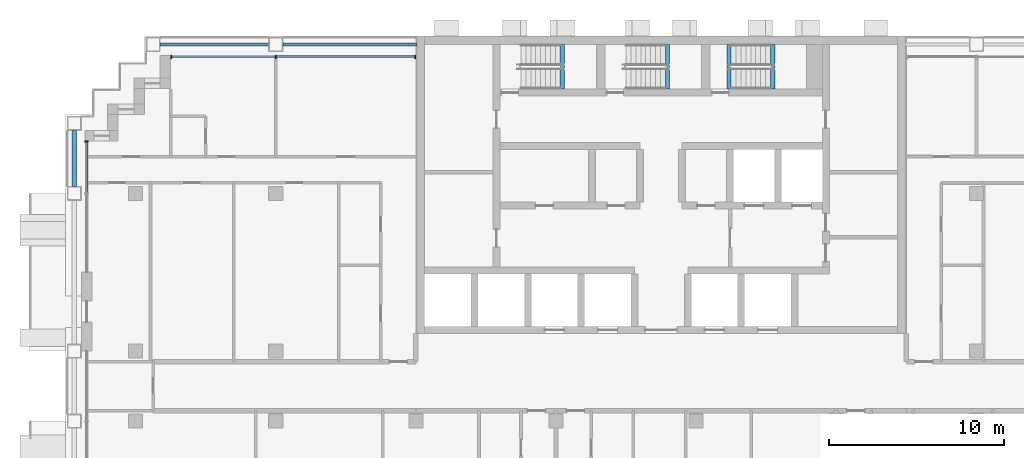
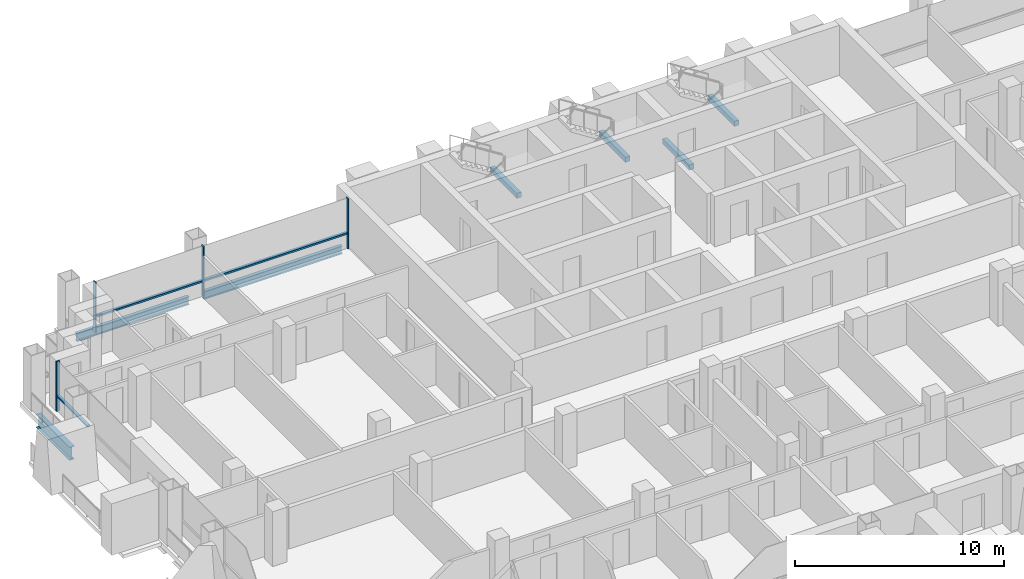
# One storey, part 4 of 16: 7 beams, 7 members, 2 elements without a shape of their own.
"""IFC4 building model written with IfcOpenShell, lengths in metres."""

from ifc_helpers import new_model, si_unit, direction, frame, origin, origin_2d, place, context, subcontext, project, spatial, rectangle, i_section, extrude, material, material_profile, profile_set, type_object, element, aggregate, save


model = new_model("IFC4")

# Units and contexts
model_context = context("Model", 3, precision=1e-05, world=origin(), true_north=direction((0.0, 1.0)))
body_context = subcontext(model_context, "Body", "Model", "MODEL_VIEW")
ifc_project = project(units=[si_unit("LENGTHUNIT", "METRE"), si_unit("AREAUNIT", "SQUARE_METRE"), si_unit("VOLUMEUNIT", "CUBIC_METRE"), si_unit("PLANEANGLEUNIT", "RADIAN"), si_unit("MASSUNIT", "GRAM", prefix="KILO")], contexts=[model_context])

# Site, building, storey
site_placement = place(None, origin())
site = spatial("IfcSite", under=ifc_project, at=site_placement, CompositionType="ELEMENT")
building_placement = place(site_placement, origin())
building = spatial("IfcBuilding", under=site, at=building_placement, Name="Vidyagriha Tower", CompositionType="ELEMENT")
storey_placement = place(building_placement, frame((0.0, 0.0, 129.39990234375)))
storey = spatial("IfcBuildingStorey", under=building, at=storey_placement, Name="L33", CompositionType="ELEMENT", Elevation=129.39990234375)

# Beams
ifc_material_1 = material(Name="Steel ASTM A992 Grade 50", Category="steel")
ifc_material_profile_1 = material_profile(ifc_material_1, i_section(OverallWidth=0.2666015625, OverallDepth=0.76953125, WebThickness=0.015625, FlangeThickness=0.025390625, at=origin_2d()), Name="W30X132")
ifc_profile_set_1 = profile_set([ifc_material_profile_1], Name="Steel ASTM A992 Grade 50")
beam_type_1 = type_object("IfcBeamType", Name="Cantilever edge beam W30X132", PredefinedType="SPANDREL", material=ifc_profile_set_1)
beam_1_placement = place(storey_placement, frame((-33.5, 11.39990234375, -0.664794921875), z_axis=(0.0, 1.0, 0.0), x_axis=(-1.0, 0.0, 0.0)))
element("IfcBeam", 1, at=beam_1_placement, inside=storey, type_object=beam_type_1, Name="st-beam-L33-W13", PredefinedType="SPANDREL", context=body_context, shape_type="SweptSolid", body=[
    extrude(i_section(OverallWidth=0.2666015625, OverallDepth=0.76953125, WebThickness=0.015625, FlangeThickness=0.025390625, at=origin_2d()), origin(), (0.0, 0.0, 1.0), 3.2001953125),
])
ifc_material_2 = material(Name="Steel ASTM A992 Grade 50", Category="steel")
ifc_material_profile_2 = material_profile(ifc_material_2, i_section(OverallWidth=0.19189453125, OverallDepth=0.46240234375, WebThickness=0.010498046875, FlangeThickness=0.017578125, at=origin_2d()), Name="W18X60")
ifc_profile_set_2 = profile_set([ifc_material_profile_2], Name="Steel ASTM A992 Grade 50")
beam_type_2 = type_object("IfcBeamType", Name="Edge beam W18X60", PredefinedType="SPANDREL", material=ifc_profile_set_2)
beam_2_placement = place(storey_placement, frame((-28.60009765625, 19.5, -0.510986328125), z_axis=(1.0, 0.0, 0.0), x_axis=(0.0, 1.0, 0.0)))
element("IfcBeam", 2, at=beam_2_placement, inside=storey, type_object=beam_type_2, Name="st-beam-L33-NW19", PredefinedType="SPANDREL", context=body_context, shape_type="SweptSolid", body=[
    extrude(i_section(OverallWidth=0.19189453125, OverallDepth=0.46240234375, WebThickness=0.010498046875, FlangeThickness=0.017578125, at=origin_2d()), origin(), (0.0, 0.0, 1.0), 6.2001953125),
])
beam_3_placement = place(storey_placement, frame((-21.60009765625, 19.5, -0.510986328125), z_axis=(1.0, 0.0, 0.0), x_axis=(0.0, 1.0, 0.0)))
element("IfcBeam", 3, at=beam_3_placement, inside=storey, type_object=beam_type_2, Name="st-beam-L33-NC22", PredefinedType="SPANDREL", context=body_context, shape_type="SweptSolid", body=[
    extrude(i_section(OverallWidth=0.19189453125, OverallDepth=0.46240234375, WebThickness=0.010498046875, FlangeThickness=0.017578125, at=origin_2d()), origin(), (0.0, 0.0, 1.0), 7.650146484375),
])

# Curtain wall, members
ifc_material_3 = material(Name="Aluminium and glass curtain wall", Category="aluminium")
curtain_wall_type = type_object("IfcCurtainWallType", Name="Dwelling skin unitised curtain wall", PredefinedType="USERDEFINED", material=ifc_material_3)
curtain_wall_1_placement = place(storey_placement, origin())
curtain_wall_1 = element("IfcCurtainWall", 4, at=curtain_wall_1_placement, inside=storey, type_object=curtain_wall_type, Name="CW1 dwelling skin", ObjectType="UNITISED", PredefinedType="USERDEFINED")
ifc_material_4 = material(Name="Aluminium black anodised", Category="aluminium")
ifc_material_profile_3 = material_profile(ifc_material_4, rectangle(XDim=0.199951171875, YDim=0.070068359375, at=origin_2d()), Name="Mullion 70x200 black aluminium")
ifc_profile_set_3 = profile_set([ifc_material_profile_3], Name="Aluminium black anodised")
member_type_1 = type_object("IfcMemberType", Name="Mullion 70x200 black aluminium", PredefinedType="MULLION", material=ifc_profile_set_3)
member_1_placement = place(storey_placement, frame((-14.034912109375, 18.800048828125, 0.0), z_axis=(0.0, 0.0, 1.0), x_axis=(0.0, -1.0, 0.0)))
member_1 = element("IfcMember", 5, at=member_1_placement, type_object=member_type_1, Name="CW1 mullion 1", PredefinedType="MULLION", context=body_context, shape_type="SweptSolid", body=[
    extrude(rectangle(XDim=0.199951171875, YDim=0.070068359375, at=origin_2d()), origin(), (0.0, 0.0, 1.0), 2.920166015625),
])
member_2_placement = place(storey_placement, frame((-22.0, 18.800048828125, 0.0), z_axis=(0.0, 0.0, 1.0), x_axis=(0.0, -1.0, 0.0)))
member_2 = element("IfcMember", 6, at=member_2_placement, type_object=member_type_1, Name="CW1 mullion 2", PredefinedType="MULLION", context=body_context, shape_type="SweptSolid", body=[
    extrude(rectangle(XDim=0.199951171875, YDim=0.070068359375, at=origin_2d()), origin(), (0.0, 0.0, 1.0), 2.920166015625),
])
member_3_placement = place(storey_placement, frame((-27.965087890625, 18.800048828125, 0.0), z_axis=(0.0, 0.0, 1.0), x_axis=(0.0, -1.0, 0.0)))
member_3 = element("IfcMember", 7, at=member_3_placement, type_object=member_type_1, Name="CW1 mullion 3", PredefinedType="MULLION", context=body_context, shape_type="SweptSolid", body=[
    extrude(rectangle(XDim=0.199951171875, YDim=0.070068359375, at=origin_2d()), origin(), (0.0, 0.0, 1.0), 2.920166015625),
])

# Curtain wall, member
curtain_wall_2_placement = place(storey_placement, origin())
curtain_wall_2 = element("IfcCurtainWall", 8, at=curtain_wall_2_placement, inside=storey, type_object=curtain_wall_type, Name="CW1 dwelling skin", ObjectType="UNITISED", PredefinedType="USERDEFINED")
member_4_placement = place(storey_placement, frame((-32.800048828125, 13.965087890625, 0.0)))
member_4 = element("IfcMember", 9, at=member_4_placement, type_object=member_type_1, Name="CW1 mullion 1", PredefinedType="MULLION", context=body_context, shape_type="SweptSolid", body=[
    extrude(rectangle(XDim=0.199951171875, YDim=0.070068359375, at=origin_2d()), origin(), (0.0, 0.0, 1.0), 2.920166015625),
])

# Beams
ifc_material_5 = material(Name="Concrete C40/50", Category="concrete")
ifc_material_profile_4 = material_profile(ifc_material_5, rectangle(XDim=0.25, YDim=0.300048828125, at=origin_2d()), Name="Stair landing bearing beam 250x300")
ifc_profile_set_4 = profile_set([ifc_material_profile_4], Name="Concrete C40/50")
beam_type_3 = type_object("IfcBeamType", Name="Stair landing bearing beam 250x300", PredefinedType="BEAM", material=ifc_profile_set_4)
for number, where, z_axis, x_axis, name in (
    (10, (3.875, 16.949951171875, -0.429931640625), (0.0, 1.0, 0.0), (-1.0, 0.0, 0.0), "ST3 floor landing bearing beam L33"),
    (11, (-5.635009765625, 16.949951171875, 1.25), (0.0, 1.0, 0.0), (-1.0, 0.0, 0.0), "ST1 landing bearing beam L33"),
    (12, (0.364990234375, 16.949951171875, 1.25), (0.0, 1.0, 0.0), (-1.0, 0.0, 0.0), "ST2 landing bearing beam L33"),
    (13, (6.364990234375, 16.949951171875, 1.25), (0.0, 1.0, 0.0), (-1.0, 0.0, 0.0), "ST3 landing bearing beam L33"),
):
    element("IfcBeam", number, at=place(storey_placement, frame(where, z_axis=z_axis, x_axis=x_axis)), inside=storey, type_object=beam_type_3, Name=name, PredefinedType="BEAM", context=body_context, shape_type="SweptSolid", body=[
        extrude(rectangle(XDim=0.25, YDim=0.300048828125, at=origin_2d()), origin(), (0.0, 0.0, 1.0), 2.550048828125),
    ])

# Member
ifc_material_6 = material(Name="Aluminium black anodised", Category="aluminium")
ifc_material_profile_5 = material_profile(ifc_material_6, rectangle(XDim=0.159912109375, YDim=0.10009765625, at=origin_2d()), Name="Transom 100x160 black aluminium")
ifc_profile_set_5 = profile_set([ifc_material_profile_5], Name="Aluminium black anodised")
member_type_2 = type_object("IfcMemberType", Name="Transom 100x160 black aluminium", PredefinedType="USERDEFINED", material=ifc_profile_set_5)
member_5_placement = place(storey_placement, frame((-14.070068359375, 18.800048828125, 0.900146484375), z_axis=(-1.0, 0.0, 0.0), x_axis=(0.0, -1.0, 0.0)))
member_5 = element("IfcMember", 14, at=member_5_placement, type_object=member_type_2, Name="CW1 transom 1.1", ObjectType="TRANSOM", PredefinedType="USERDEFINED", context=body_context, shape_type="SweptSolid", body=[
    extrude(rectangle(XDim=0.159912109375, YDim=0.10009765625, at=origin_2d()), origin(), (0.0, 0.0, 1.0), 7.89501953125),
])

member_6_placement = place(storey_placement, frame((-22.034912109375, 18.800048828125, 0.900146484375), z_axis=(-1.0, 0.0, 0.0), x_axis=(0.0, -1.0, 0.0)))
member_6 = element("IfcMember", 15, at=member_6_placement, type_object=member_type_2, Name="CW1 transom 2.1", ObjectType="TRANSOM", PredefinedType="USERDEFINED", context=body_context, shape_type="SweptSolid", body=[
    extrude(rectangle(XDim=0.159912109375, YDim=0.10009765625, at=origin_2d()), origin(), (0.0, 0.0, 1.0), 5.89501953125),
])

aggregate(curtain_wall_1, [member_1, member_2, member_3, member_5, member_6])

member_7_placement = place(storey_placement, frame((-32.800048828125, 13.929931640625, 0.900146484375), z_axis=(0.0, -1.0, 0.0), x_axis=(1.0, 0.0, 0.0)))
member_7 = element("IfcMember", 16, at=member_7_placement, type_object=member_type_2, Name="CW1 transom 1.1", ObjectType="TRANSOM", PredefinedType="USERDEFINED", context=body_context, shape_type="SweptSolid", body=[
    extrude(rectangle(XDim=0.159912109375, YDim=0.10009765625, at=origin_2d()), origin(), (0.0, 0.0, 1.0), 2.89501953125),
])

aggregate(curtain_wall_2, [member_4, member_7])

save(model, "model.ifc")
